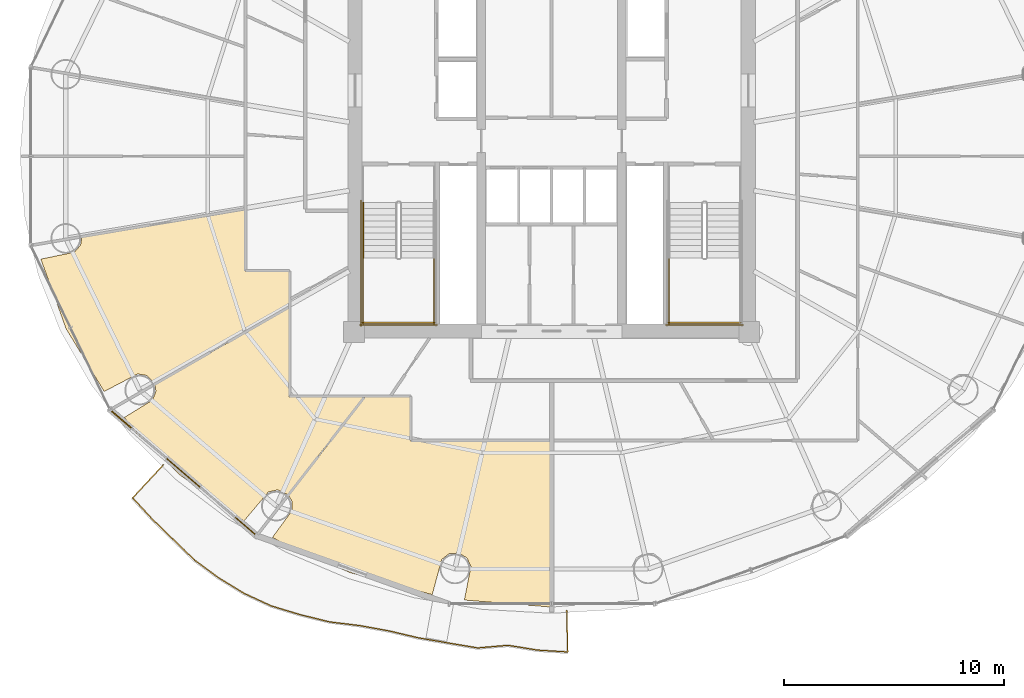
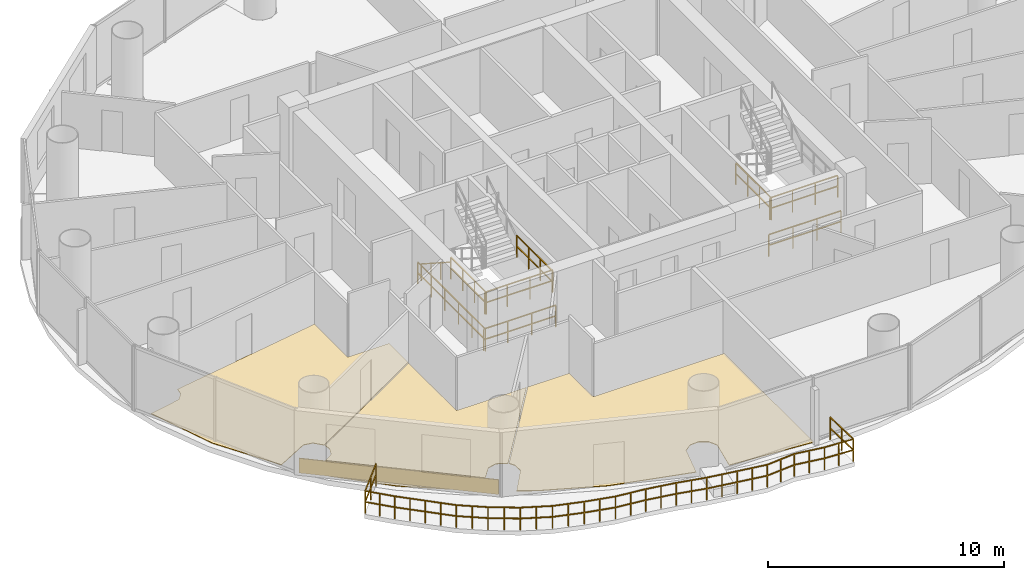
# One storey, part 24 of 26: 10 railings, 4 coverings.
"""IFC4 building model written with IfcOpenShell, lengths in metres."""

import ifcopenshell
import ifcopenshell.guid

model = None  # the IFC model being written
_history = None  # IfcOwnerHistory: only IFC2X3 demands one
_inside = {}  # id of a spatial element -> (the spatial element, [elements in it])
_under = {}  # id of a project, library or spatial element -> (it, [spatial elements below it])
_declared = {}  # id of a project -> (the project, [libraries it declares])
_typed = {}  # id of a type object -> (the type object, [elements of that type])
_made_of = {}  # id of a material, layer set ... -> (it, [elements and type objects made of it])


def new_model(schema):
    """Start an empty IFC model of exactly this schema.

    Asked for "IFC4X3", IfcOpenShell would pick the latest addendum, in which some entities
    have other attributes; the version numbers below select the first issue.
    IFC2X3 requires an IfcOwnerHistory on every rooted entity: one is made here for all.
    """
    global model, _history
    if schema == "IFC4X3":
        model = ifcopenshell.file(schema_version=(4, 3, 0, 0))
    else:
        model = ifcopenshell.file(schema=schema)
    _inside.clear()
    _under.clear()
    _declared.clear()
    _typed.clear()
    _made_of.clear()
    _history = None
    if model.schema == "IFC2X3":
        org = make("IfcOrganization", Name="unknown")
        user = make(
            "IfcPersonAndOrganization",
            ThePerson=make("IfcPerson", FamilyName="unknown"),
            TheOrganization=org,
        )
        app = make(
            "IfcApplication",
            ApplicationDeveloper=org,
            Version="unknown",
            ApplicationFullName="unknown",
            ApplicationIdentifier="unknown",
        )
        _history = make(
            "IfcOwnerHistory",
            OwningUser=user,
            OwningApplication=app,
            ChangeAction="ADDED",
            CreationDate=0,
        )
    return model


def make(cls, **values):
    """One entity of the class cls with the attributes given. An attribute that is None is left unset."""
    return model.create_entity(
        cls, **{name: value for name, value in values.items() if value is not None}
    )


def rooted(cls, **values):
    """An entity with a GlobalId (a new one), such as an element, a storey or a relation."""
    return make(cls, GlobalId=ifcopenshell.guid.new(), OwnerHistory=_history, **values)


def si_unit(unit_type, name, prefix=None):
    """IfcSIUnit, for example si_unit("LENGTHUNIT", "METRE", prefix="MILLI")."""
    return make("IfcSIUnit", UnitType=unit_type, Prefix=prefix, Name=name)


def assignment(units):
    """IfcUnitAssignment: the units of a project."""
    return None if units is None else make("IfcUnitAssignment", Units=units)


def point(xyz):
    """IfcCartesianPoint."""
    return None if xyz is None else make("IfcCartesianPoint", Coordinates=xyz)


def direction(xyz):
    """IfcDirection."""
    return None if xyz is None else make("IfcDirection", DirectionRatios=xyz)


def frame(location, z_axis=None, x_axis=None):
    """IfcAxis2Placement3D, a coordinate frame: its origin and axes. An axis left out is left unset."""
    return make(
        "IfcAxis2Placement3D",
        Location=point(location),
        Axis=direction(z_axis),
        RefDirection=direction(x_axis),
    )


def frame_2d(location, x_axis=None):
    """IfcAxis2Placement2D, a coordinate frame in the plane: its origin and x axis."""
    return make(
        "IfcAxis2Placement2D", Location=point(location), RefDirection=direction(x_axis)
    )


def origin():
    """The frame at (0, 0, 0) with its axes left unset."""
    return frame((0.0, 0.0, 0.0))


def origin_2d():
    """The frame at (0, 0) in the plane with its x axis left unset."""
    return frame_2d((0.0, 0.0))


def place(relative_to, where):
    """IfcLocalPlacement: puts the frame where relative to a parent placement (None: the world)."""
    return make(
        "IfcLocalPlacement", PlacementRelTo=relative_to, RelativePlacement=where
    )


def context(
    kind, dimensions, precision=None, world=None, true_north=None, identifier=None
):
    """IfcGeometricRepresentationContext, for example the 3D "Model" context."""
    return make(
        "IfcGeometricRepresentationContext",
        ContextIdentifier=identifier,
        ContextType=kind,
        CoordinateSpaceDimension=dimensions,
        Precision=precision,
        WorldCoordinateSystem=world,
        TrueNorth=true_north,
    )


def subcontext(parent, identifier, kind, view, scale=None):
    """IfcGeometricRepresentationSubContext, for example "Body" below "Model"."""
    return make(
        "IfcGeometricRepresentationSubContext",
        ContextIdentifier=identifier,
        ContextType=kind,
        ParentContext=parent,
        TargetScale=scale,
        TargetView=view,
    )


def project(units=None, contexts=None):
    """IfcProject with its units and contexts."""
    return rooted(
        "IfcProject",
        Name="project",
        RepresentationContexts=contexts,
        UnitsInContext=assignment(units),
    )


def spatial(cls, under=None, at=None, **own):
    """A site, building, storey or space (cls), placed at a placement, below another one or the project."""
    s = rooted(cls, ObjectPlacement=at, **own)
    if under is not None:
        _under.setdefault(under.id(), (under, []))[1].append(s)
    return s


def polyline(points):
    """IfcPolyline through the points."""
    return make("IfcPolyline", Points=[point(p) for p in points])


def profile(cls, at=None, kind="AREA", **sizes):
    """A parametric profile (cls). Its sizes go by their IFC names, for example OverallWidth=200.0."""
    return make(cls, ProfileType=kind, Position=at, **sizes)


def rectangle(**sizes):
    """IfcRectangleProfileDef."""
    return profile("IfcRectangleProfileDef", **sizes)


def outline(outer, holes=None, kind="AREA"):
    """IfcArbitraryClosedProfileDef: a profile drawn as a closed curve; with holes, ...WithVoids."""
    if holes is None:
        return make("IfcArbitraryClosedProfileDef", ProfileType=kind, OuterCurve=outer)
    return make(
        "IfcArbitraryProfileDefWithVoids",
        ProfileType=kind,
        OuterCurve=outer,
        InnerCurves=holes,
    )


def extrude(swept, where, along, depth):
    """IfcExtrudedAreaSolid: the profile swept, set in the frame where, extruded along a direction by depth."""
    return make(
        "IfcExtrudedAreaSolid",
        SweptArea=swept,
        Position=where,
        ExtrudedDirection=direction(along),
        Depth=depth,
    )


def shape(context_of_items, identifier, shape_type, items):
    """IfcShapeRepresentation: the items that make up one representation, for example the "Body"."""
    return make(
        "IfcShapeRepresentation",
        ContextOfItems=context_of_items,
        RepresentationIdentifier=identifier,
        RepresentationType=shape_type,
        Items=items,
    )


def source(mapping_origin, context_of_items, identifier, shape_type, items):
    """IfcRepresentationMap: a shape defined once, which mapped items show again and again."""
    return make(
        "IfcRepresentationMap",
        MappingOrigin=mapping_origin,
        MappedRepresentation=shape(context_of_items, identifier, shape_type, items),
    )


def transform(
    local_origin,
    x_axis=None,
    y_axis=None,
    z_axis=None,
    scale=None,
    scale2=None,
    scale3=None,
    uniform=True,
):
    """IfcCartesianTransformationOperator3D, or its non-uniform kind. x_axis, y_axis, z_axis: its Axis1, 2, 3."""
    if uniform:
        return make(
            "IfcCartesianTransformationOperator3D",
            Axis1=direction(x_axis),
            Axis2=direction(y_axis),
            LocalOrigin=point(local_origin),
            Scale=scale,
            Axis3=direction(z_axis),
        )
    return make(
        "IfcCartesianTransformationOperator3DnonUniform",
        Axis1=direction(x_axis),
        Axis2=direction(y_axis),
        LocalOrigin=point(local_origin),
        Scale=scale,
        Axis3=direction(z_axis),
        Scale2=scale2,
        Scale3=scale3,
    )


def mapped(mapping_source, mapping_target):
    """IfcMappedItem: shows the shape of a source again, moved by a transform."""
    return make(
        "IfcMappedItem", MappingSource=mapping_source, MappingTarget=mapping_target
    )


def material(Name=None, Category=None):
    """IfcMaterial."""
    return make("IfcMaterial", Name=Name, Category=Category)


def layer(
    of_material, thickness, ventilated=None, Name=None, Category=None, Priority=None
):
    """IfcMaterialLayer: one layer of a wall or slab, of a material (None: an air gap)."""
    return make(
        "IfcMaterialLayer",
        Material=of_material,
        LayerThickness=thickness,
        IsVentilated=ventilated,
        Name=Name,
        Category=Category,
        Priority=Priority,
    )


def layer_set(layers, Name=None):
    """IfcMaterialLayerSet."""
    return make("IfcMaterialLayerSet", MaterialLayers=layers, LayerSetName=Name)


def made_of(thing, what):
    """Note that an element or type object is made of a material, layer set ...; save() writes the relation."""
    if what is not None:
        _made_of.setdefault(what.id(), (what, []))[1].append(thing)
    return thing


def type_object(cls, material=None, **own):
    """A type object (cls), such as IfcWallType, which elements share."""
    return made_of(rooted(cls, **own), material)


def element(
    cls,
    number,
    at=None,
    inside=None,
    cuts=None,
    type_object=None,
    material=None,
    context=None,
    identifier="Body",
    shape_type=None,
    held_by="IfcProductDefinitionShape",
    body=None,
    shapes=None,
    **own,
):
    """One element of the class cls, such as IfcWall. Its Tag is "e" and its number.

    at: its placement. inside: the storey or other place that contains it. cuts: it is an
    opening in that element (IfcRelVoidsElement). A single representation is given by context,
    identifier, shape_type and body (its items); several are given by shapes. held_by: the class
    of the entity that holds the representations. save() writes the other relations.
    """
    e = rooted(cls, Tag="e%d" % number, ObjectPlacement=at, **own)
    if body is not None:
        shapes = [shape(context, identifier, shape_type, body)]
    if shapes is not None:
        e.Representation = make(held_by, Representations=shapes)
    if inside is not None:
        _inside.setdefault(inside.id(), (inside, []))[1].append(e)
    if cuts is not None:
        rooted(
            "IfcRelVoidsElement", RelatingBuildingElement=cuts, RelatedOpeningElement=e
        )
    if type_object is not None:
        _typed.setdefault(type_object.id(), (type_object, []))[1].append(e)
    return made_of(e, material)


def aggregate(whole, parts):
    """IfcRelAggregates: a whole, such as a stair, and the parts it consists of."""
    return rooted("IfcRelAggregates", RelatingObject=whole, RelatedObjects=parts)


def save(model, path):
    """Write the relations noted so far, then the file.

    IfcRelAggregates (storeys below a building ...), IfcRelContainedInSpatialStructure (elements
    in a storey), IfcRelDefinesByType, IfcRelAssociatesMaterial and IfcRelDeclares: one each for
    every whole, place, type object, material and project.
    """
    for whole, parts in _under.values():
        aggregate(whole, parts)
    for where, things in _inside.values():
        rooted(
            "IfcRelContainedInSpatialStructure",
            RelatedElements=things,
            RelatingStructure=where,
        )
    for kind, things in _typed.values():
        rooted("IfcRelDefinesByType", RelatedObjects=things, RelatingType=kind)
    for what, things in _made_of.values():
        rooted("IfcRelAssociatesMaterial", RelatedObjects=things, RelatingMaterial=what)
    for by, libraries in _declared.values():
        rooted("IfcRelDeclares", RelatingContext=by, RelatedDefinitions=libraries)
    model.write(path)


model = new_model("IFC4")

# Units and contexts
model_context = context("Model", 3, precision=1e-05, world=origin(), true_north=direction((-0.2419218956, 0.970295726276)))
body_context = subcontext(model_context, "Body", "Model", "MODEL_VIEW")
ifc_project = project(units=[si_unit("LENGTHUNIT", "METRE"), si_unit("AREAUNIT", "SQUARE_METRE"), si_unit("VOLUMEUNIT", "CUBIC_METRE"), si_unit("PLANEANGLEUNIT", "RADIAN"), si_unit("MASSUNIT", "GRAM", prefix="KILO")], contexts=[model_context])

# Site, building, storey
site_placement = place(None, origin())
site = spatial("IfcSite", under=ifc_project, at=site_placement, CompositionType="ELEMENT")
building_placement = place(site_placement, origin())
building = spatial("IfcBuilding", under=site, at=building_placement, Name="Cobrevalo Terracotta Tower", CompositionType="ELEMENT")
storey_placement = place(building_placement, frame((0.0, 0.0, 171.39990234375)))
storey = spatial("IfcBuildingStorey", under=building, at=storey_placement, Name="L45", CompositionType="ELEMENT", Elevation=171.39990234375)

# Railing
ifc_material_1 = material(Name="Laminated structural glass and stainless steel", Category="steel")
railing_type_1 = type_object("IfcRailingType", Name="Balcony lobe structural glass & terracotta-cap balustrade 1180 mm", PredefinedType="BALUSTRADE", material=ifc_material_1)
railing_1_placement = place(storey_placement, frame((20.332275390625, 12.761962890625, 0.0)))
element("IfcRailing", 1, at=railing_1_placement, inside=storey, type_object=railing_type_1, Name="L45 spiralling balcony lobe balustrade 2", PredefinedType="BALUSTRADE", context=body_context, shape_type="SweptSolid", body=[
    extrude(rectangle(XDim=0.048095703125, YDim=0.048095703125, at=origin_2d()), frame((0.0, 0.0, 1.15576171875), z_axis=(-0.681164525819, -0.73213037689, 0.0), x_axis=(0.73213037689, -0.681164525819, 0.0)), (0.0, 0.0, 1.0), 2.059814453125),
    extrude(rectangle(XDim=0.048095703125, YDim=0.048095703125, at=origin_2d()), frame((0.0, 0.0, 0.58984375), z_axis=(-0.681164525819, -0.73213037689, 0.0), x_axis=(0.73213037689, -0.681164525819, 0.0)), (0.0, 0.0, 1.0), 2.059814453125),
    extrude(rectangle(XDim=0.048095703125, YDim=0.048095703125, at=origin_2d()), frame((-1.403076171875, -1.508056640625, 1.15576171875), z_axis=(0.677125207172, -0.735867823602, 0.0), x_axis=(0.735867823602, 0.677125207172, 0.0)), (0.0, 0.0, 1.0), 1.30908203125),
    extrude(rectangle(XDim=0.048095703125, YDim=0.048095703125, at=origin_2d()), frame((-1.403076171875, -1.508056640625, 0.58984375), z_axis=(0.677125207172, -0.735867823602, 0.0), x_axis=(0.735867823602, 0.677125207172, 0.0)), (0.0, 0.0, 1.0), 1.30908203125),
    extrude(rectangle(XDim=0.048095703125, YDim=0.048095703125, at=origin_2d()), frame((-0.5166015625, -2.471435546875, 1.15576171875), z_axis=(0.718008540099, -0.696034292506, 0.0), x_axis=(0.696034292506, 0.718008540099, 0.0)), (0.0, 0.0, 1.0), 1.333251953125),
    extrude(rectangle(XDim=0.048095703125, YDim=0.048095703125, at=origin_2d()), frame((-0.5166015625, -2.471435546875, 0.58984375), z_axis=(0.718008540099, -0.696034292506, 0.0), x_axis=(0.696034292506, 0.718008540099, 0.0)), (0.0, 0.0, 1.0), 1.333251953125),
    extrude(rectangle(XDim=0.048095703125, YDim=0.048095703125, at=origin_2d()), frame((0.440673828125, -3.3994140625, 1.15576171875), z_axis=(0.718062108439, -0.695979028724, 0.0), x_axis=(0.695979028724, 0.718062108439, 0.0)), (0.0, 0.0, 1.0), 1.348876953125),
    extrude(rectangle(XDim=0.048095703125, YDim=0.048095703125, at=origin_2d()), frame((0.440673828125, -3.3994140625, 0.58984375), z_axis=(0.718062108439, -0.695979028724, 0.0), x_axis=(0.695979028724, 0.718062108439, 0.0)), (0.0, 0.0, 1.0), 1.348876953125),
    extrude(rectangle(XDim=0.048095703125, YDim=0.048095703125, at=origin_2d()), frame((1.4091796875, -4.338134765625, 1.15576171875), z_axis=(0.804825439693, -0.593511593504, 0.0), x_axis=(0.593511593504, 0.804825439693, 0.0)), (0.0, 0.0, 1.0), 1.358642578125),
    extrude(rectangle(XDim=0.048095703125, YDim=0.048095703125, at=origin_2d()), frame((1.4091796875, -4.338134765625, 0.58984375), z_axis=(0.804825439693, -0.593511593504, 0.0), x_axis=(0.593511593504, 0.804825439693, 0.0)), (0.0, 0.0, 1.0), 1.358642578125),
    extrude(rectangle(XDim=0.048095703125, YDim=0.048095703125, at=origin_2d()), frame((2.502685546875, -5.14453125, 1.15576171875), z_axis=(0.853392398932, -0.521269041327, 0.0), x_axis=(0.521269041327, 0.853392398932, 0.0)), (0.0, 0.0, 1.0), 1.3642578125),
    extrude(rectangle(XDim=0.048095703125, YDim=0.048095703125, at=origin_2d()), frame((2.502685546875, -5.14453125, 0.58984375), z_axis=(0.853392398932, -0.521269041327, 0.0), x_axis=(0.521269041327, 0.853392398932, 0.0)), (0.0, 0.0, 1.0), 1.3642578125),
    extrude(rectangle(XDim=0.048095703125, YDim=0.048095703125, at=origin_2d()), frame((3.6669921875, -5.855712890625, 1.15576171875), z_axis=(0.907587912366, -0.419862097988, 0.0), x_axis=(0.419862097988, 0.907587912366, 0.0)), (0.0, 0.0, 1.0), 1.366943359375),
    extrude(rectangle(XDim=0.048095703125, YDim=0.048095703125, at=origin_2d()), frame((3.6669921875, -5.855712890625, 0.58984375), z_axis=(0.907587912366, -0.419862097988, 0.0), x_axis=(0.419862097988, 0.907587912366, 0.0)), (0.0, 0.0, 1.0), 1.366943359375),
    extrude(rectangle(XDim=0.048095703125, YDim=0.048095703125, at=origin_2d()), frame((4.90771484375, -6.4296875, 1.15576171875), z_axis=(0.957305624306, -0.2890777433, 0.0), x_axis=(0.2890777433, 0.957305624306, 0.0)), (0.0, 0.0, 1.0), 1.385009765625),
    extrude(rectangle(XDim=0.048095703125, YDim=0.048095703125, at=origin_2d()), frame((4.90771484375, -6.4296875, 0.58984375), z_axis=(0.957305624306, -0.2890777433, 0.0), x_axis=(0.2890777433, 0.957305624306, 0.0)), (0.0, 0.0, 1.0), 1.385009765625),
    extrude(rectangle(XDim=0.048095703125, YDim=0.048095703125, at=origin_2d()), frame((6.233642578125, -6.830078125, 1.15576171875), z_axis=(0.971239515756, -0.238104605234, 0.0), x_axis=(0.238104605234, 0.971239515756, 0.0)), (0.0, 0.0, 1.0), 1.375),
    extrude(rectangle(XDim=0.048095703125, YDim=0.048095703125, at=origin_2d()), frame((6.233642578125, -6.830078125, 0.58984375), z_axis=(0.971239515756, -0.238104605234, 0.0), x_axis=(0.238104605234, 0.971239515756, 0.0)), (0.0, 0.0, 1.0), 1.375),
    extrude(rectangle(XDim=0.048095703125, YDim=0.048095703125, at=origin_2d()), frame((7.569091796875, -7.157470703125, 1.15576171875), z_axis=(0.992576893634, -0.121618708365, 0.0), x_axis=(0.121618708365, 0.992576893634, 0.0)), (0.0, 0.0, 1.0), 1.39306640625),
    extrude(rectangle(XDim=0.048095703125, YDim=0.048095703125, at=origin_2d()), frame((7.569091796875, -7.157470703125, 0.58984375), z_axis=(0.992576893634, -0.121618708365, 0.0), x_axis=(0.121618708365, 0.992576893634, 0.0)), (0.0, 0.0, 1.0), 1.39306640625),
    extrude(rectangle(XDim=0.048095703125, YDim=0.048095703125, at=origin_2d()), frame((8.951904296875, -7.326904296875, 1.15576171875), z_axis=(0.983720650768, -0.179704427469, 0.0), x_axis=(0.179704427469, 0.983720650768, 0.0)), (0.0, 0.0, 1.0), 1.364013671875),
    extrude(rectangle(XDim=0.048095703125, YDim=0.048095703125, at=origin_2d()), frame((8.951904296875, -7.326904296875, 0.58984375), z_axis=(0.983720650768, -0.179704427469, 0.0), x_axis=(0.179704427469, 0.983720650768, 0.0)), (0.0, 0.0, 1.0), 1.364013671875),
    extrude(rectangle(XDim=0.048095703125, YDim=0.048095703125, at=origin_2d()), frame((10.293701171875, -7.572021484375, 1.15576171875), z_axis=(0.973194865958, -0.229982070764, 0.0), x_axis=(0.229982070764, 0.973194865958, 0.0)), (0.0, 0.0, 1.0), 1.356689453125),
    extrude(rectangle(XDim=0.048095703125, YDim=0.048095703125, at=origin_2d()), frame((10.293701171875, -7.572021484375, 0.58984375), z_axis=(0.973194865958, -0.229982070764, 0.0), x_axis=(0.229982070764, 0.973194865958, 0.0)), (0.0, 0.0, 1.0), 1.356689453125),
    extrude(rectangle(XDim=0.048095703125, YDim=0.048095703125, at=origin_2d()), frame((11.614013671875, -7.884033203125, 1.15576171875), z_axis=(0.985599257417, -0.169097911812, 0.0), x_axis=(0.169097911812, 0.985599257417, 0.0)), (0.0, 0.0, 1.0), 1.3642578125),
    extrude(rectangle(XDim=0.048095703125, YDim=0.048095703125, at=origin_2d()), frame((11.614013671875, -7.884033203125, 0.58984375), z_axis=(0.985599257417, -0.169097911812, 0.0), x_axis=(0.169097911812, 0.985599257417, 0.0)), (0.0, 0.0, 1.0), 1.3642578125),
    extrude(rectangle(XDim=0.048095703125, YDim=0.048095703125, at=origin_2d()), frame((12.958740234375, -8.11474609375, 1.15576171875), z_axis=(0.986072720002, -0.166314734365, 0.0), x_axis=(0.166314734365, 0.986072720002, 0.0)), (0.0, 0.0, 1.0), 1.36376953125),
    extrude(rectangle(XDim=0.048095703125, YDim=0.048095703125, at=origin_2d()), frame((12.958740234375, -8.11474609375, 0.58984375), z_axis=(0.986072720002, -0.166314734365, 0.0), x_axis=(0.166314734365, 0.986072720002, 0.0)), (0.0, 0.0, 1.0), 1.36376953125),
    extrude(rectangle(XDim=0.048095703125, YDim=0.048095703125, at=origin_2d()), frame((14.303466796875, -8.341552734375, 1.15576171875), z_axis=(0.996158832423, 0.08756472227, 0.0), x_axis=(-0.08756472227, 0.996158832423, 0.0)), (0.0, 0.0, 1.0), 1.3857421875),
    extrude(rectangle(XDim=0.048095703125, YDim=0.048095703125, at=origin_2d()), frame((14.303466796875, -8.341552734375, 0.58984375), z_axis=(0.996158832423, 0.08756472227, 0.0), x_axis=(-0.08756472227, 0.996158832423, 0.0)), (0.0, 0.0, 1.0), 1.3857421875),
    extrude(rectangle(XDim=0.048095703125, YDim=0.048095703125, at=origin_2d()), frame((15.683837890625, -8.22021484375, 1.15576171875), z_axis=(0.986927106875, -0.161167260063, 0.0), x_axis=(0.161167260063, 0.986927106875, 0.0)), (0.0, 0.0, 1.0), 1.372314453125),
    extrude(rectangle(XDim=0.048095703125, YDim=0.048095703125, at=origin_2d()), frame((15.683837890625, -8.22021484375, 0.58984375), z_axis=(0.986927106875, -0.161167260063, 0.0), x_axis=(0.161167260063, 0.986927106875, 0.0)), (0.0, 0.0, 1.0), 1.372314453125),
    extrude(rectangle(XDim=0.048095703125, YDim=0.048095703125, at=origin_2d()), frame((17.038330078125, -8.44140625, 1.15576171875), z_axis=(0.998181526806, -0.060279677695, 0.0), x_axis=(0.060279677695, 0.998181526806, 0.0)), (0.0, 0.0, 1.0), 1.368896484375),
    extrude(rectangle(XDim=0.048095703125, YDim=0.048095703125, at=origin_2d()), frame((17.038330078125, -8.44140625, 0.58984375), z_axis=(0.998181526806, -0.060279677695, 0.0), x_axis=(0.060279677695, 0.998181526806, 0.0)), (0.0, 0.0, 1.0), 1.368896484375),
    extrude(rectangle(XDim=0.048095703125, YDim=0.048095703125, at=origin_2d()), frame((18.40478515625, -8.52392578125, 1.15576171875), z_axis=(-0.024653576035, 0.999696054403, 0.0), x_axis=(-0.999696054403, -0.024653576035, 0.0)), (0.0, 0.0, 1.0), 1.891357421875),
    extrude(rectangle(XDim=0.048095703125, YDim=0.048095703125, at=origin_2d()), frame((18.40478515625, -8.52392578125, 0.58984375), z_axis=(-0.024653576035, 0.999696054403, 0.0), x_axis=(-0.999696054403, -0.024653576035, 0.0)), (0.0, 0.0, 1.0), 1.891357421875),
    extrude(rectangle(XDim=0.0419921875, YDim=0.0419921875, at=origin_2d()), origin(), (0.0, 0.0, 1.0), 1.1318359375),
    extrude(rectangle(XDim=0.0419921875, YDim=0.0419921875, at=origin_2d()), frame((-0.70166015625, -0.75390625, 0.0)), (0.0, 0.0, 1.0), 1.1318359375),
    extrude(rectangle(XDim=0.0419921875, YDim=0.0419921875, at=origin_2d()), frame((-1.403076171875, -1.508056640625, 0.0)), (0.0, 0.0, 1.0), 1.1318359375),
    extrude(rectangle(XDim=0.0419921875, YDim=0.0419921875, at=origin_2d()), frame((-0.9599609375, -1.98974609375, 0.0)), (0.0, 0.0, 1.0), 1.1318359375),
    extrude(rectangle(XDim=0.0419921875, YDim=0.0419921875, at=origin_2d()), frame((-0.5166015625, -2.471435546875, 0.0)), (0.0, 0.0, 1.0), 1.1318359375),
    extrude(rectangle(XDim=0.0419921875, YDim=0.0419921875, at=origin_2d()), frame((-0.0380859375, -2.935546875, 0.0)), (0.0, 0.0, 1.0), 1.1318359375),
    extrude(rectangle(XDim=0.0419921875, YDim=0.0419921875, at=origin_2d()), frame((0.440673828125, -3.3994140625, 0.0)), (0.0, 0.0, 1.0), 1.1318359375),
    extrude(rectangle(XDim=0.0419921875, YDim=0.0419921875, at=origin_2d()), frame((0.9248046875, -3.86865234375, 0.0)), (0.0, 0.0, 1.0), 1.1318359375),
    extrude(rectangle(XDim=0.0419921875, YDim=0.0419921875, at=origin_2d()), frame((1.4091796875, -4.338134765625, 0.0)), (0.0, 0.0, 1.0), 1.1318359375),
    extrude(rectangle(XDim=0.0419921875, YDim=0.0419921875, at=origin_2d()), frame((1.9560546875, -4.7412109375, 0.0)), (0.0, 0.0, 1.0), 1.1318359375),
    extrude(rectangle(XDim=0.0419921875, YDim=0.0419921875, at=origin_2d()), frame((2.502685546875, -5.14453125, 0.0)), (0.0, 0.0, 1.0), 1.1318359375),
    extrude(rectangle(XDim=0.0419921875, YDim=0.0419921875, at=origin_2d()), frame((3.0849609375, -5.5, 0.0)), (0.0, 0.0, 1.0), 1.1318359375),
    extrude(rectangle(XDim=0.0419921875, YDim=0.0419921875, at=origin_2d()), frame((3.6669921875, -5.855712890625, 0.0)), (0.0, 0.0, 1.0), 1.1318359375),
    extrude(rectangle(XDim=0.0419921875, YDim=0.0419921875, at=origin_2d()), frame((4.287353515625, -6.142578125, 0.0)), (0.0, 0.0, 1.0), 1.1318359375),
    extrude(rectangle(XDim=0.0419921875, YDim=0.0419921875, at=origin_2d()), frame((4.90771484375, -6.4296875, 0.0)), (0.0, 0.0, 1.0), 1.1318359375),
    extrude(rectangle(XDim=0.0419921875, YDim=0.0419921875, at=origin_2d()), frame((5.57080078125, -6.6298828125, 0.0)), (0.0, 0.0, 1.0), 1.1318359375),
    extrude(rectangle(XDim=0.0419921875, YDim=0.0419921875, at=origin_2d()), frame((6.233642578125, -6.830078125, 0.0)), (0.0, 0.0, 1.0), 1.1318359375),
    extrude(rectangle(XDim=0.0419921875, YDim=0.0419921875, at=origin_2d()), frame((6.9013671875, -6.99365234375, 0.0)), (0.0, 0.0, 1.0), 1.1318359375),
    extrude(rectangle(XDim=0.0419921875, YDim=0.0419921875, at=origin_2d()), frame((7.569091796875, -7.157470703125, 0.0)), (0.0, 0.0, 1.0), 1.1318359375),
    extrude(rectangle(XDim=0.0419921875, YDim=0.0419921875, at=origin_2d()), frame((8.260498046875, -7.2421875, 0.0)), (0.0, 0.0, 1.0), 1.1318359375),
    extrude(rectangle(XDim=0.0419921875, YDim=0.0419921875, at=origin_2d()), frame((8.951904296875, -7.326904296875, 0.0)), (0.0, 0.0, 1.0), 1.1318359375),
    extrude(rectangle(XDim=0.0419921875, YDim=0.0419921875, at=origin_2d()), frame((9.622802734375, -7.449462890625, 0.0)), (0.0, 0.0, 1.0), 1.1318359375),
    extrude(rectangle(XDim=0.0419921875, YDim=0.0419921875, at=origin_2d()), frame((10.293701171875, -7.572021484375, 0.0)), (0.0, 0.0, 1.0), 1.1318359375),
    extrude(rectangle(XDim=0.0419921875, YDim=0.0419921875, at=origin_2d()), frame((10.953857421875, -7.72802734375, 0.0)), (0.0, 0.0, 1.0), 1.1318359375),
    extrude(rectangle(XDim=0.0419921875, YDim=0.0419921875, at=origin_2d()), frame((11.614013671875, -7.884033203125, 0.0)), (0.0, 0.0, 1.0), 1.1318359375),
    extrude(rectangle(XDim=0.0419921875, YDim=0.0419921875, at=origin_2d()), frame((12.286376953125, -7.99951171875, 0.0)), (0.0, 0.0, 1.0), 1.1318359375),
    extrude(rectangle(XDim=0.0419921875, YDim=0.0419921875, at=origin_2d()), frame((12.958740234375, -8.11474609375, 0.0)), (0.0, 0.0, 1.0), 1.1318359375),
    extrude(rectangle(XDim=0.0419921875, YDim=0.0419921875, at=origin_2d()), frame((13.631103515625, -8.22802734375, 0.0)), (0.0, 0.0, 1.0), 1.1318359375),
    extrude(rectangle(XDim=0.0419921875, YDim=0.0419921875, at=origin_2d()), frame((14.303466796875, -8.341552734375, 0.0)), (0.0, 0.0, 1.0), 1.1318359375),
    extrude(rectangle(XDim=0.0419921875, YDim=0.0419921875, at=origin_2d()), frame((14.99365234375, -8.28076171875, 0.0)), (0.0, 0.0, 1.0), 1.1318359375),
    extrude(rectangle(XDim=0.0419921875, YDim=0.0419921875, at=origin_2d()), frame((15.683837890625, -8.22021484375, 0.0)), (0.0, 0.0, 1.0), 1.1318359375),
    extrude(rectangle(XDim=0.0419921875, YDim=0.0419921875, at=origin_2d()), frame((16.361083984375, -8.330810546875, 0.0)), (0.0, 0.0, 1.0), 1.1318359375),
    extrude(rectangle(XDim=0.0419921875, YDim=0.0419921875, at=origin_2d()), frame((17.038330078125, -8.44140625, 0.0)), (0.0, 0.0, 1.0), 1.1318359375),
    extrude(rectangle(XDim=0.0419921875, YDim=0.0419921875, at=origin_2d()), frame((17.7216796875, -8.482666015625, 0.0)), (0.0, 0.0, 1.0), 1.1318359375),
    extrude(rectangle(XDim=0.0419921875, YDim=0.0419921875, at=origin_2d()), frame((18.40478515625, -8.52392578125, 0.0)), (0.0, 0.0, 1.0), 1.1318359375),
    extrude(rectangle(XDim=0.0419921875, YDim=0.0419921875, at=origin_2d()), frame((18.38134765625, -7.57861328125, 0.0)), (0.0, 0.0, 1.0), 1.1318359375),
    extrude(rectangle(XDim=0.0419921875, YDim=0.0419921875, at=origin_2d()), frame((18.358154296875, -6.633056640625, 0.0)), (0.0, 0.0, 1.0), 1.1318359375),
])

# Coverings
ifc_material_2 = material(Name="Engineered Brazilian hardwood flooring", Category="wood")
ifc_layer_1 = layer(ifc_material_2, 0.028076171875)
ifc_layer_set_1 = layer_set([ifc_layer_1], Name="Engineered Brazilian hardwood flooring")
covering_type_1 = type_object("IfcCoveringType", Name="Engineered Hardwood Suite Flooring 28", PredefinedType="FLOORING", material=ifc_layer_set_1)
covering_1_placement = place(storey_placement, origin())
element("IfcCovering", 2, at=covering_1_placement, inside=storey, type_object=covering_type_1, Name="Flat L45A Penthouse Family Lounge floor finish", PredefinedType="FLOORING", context=body_context, shape_type="SweptSolid", body=[
    extrude(outline(polyline([(15.900390625, 18.948486328125), (14.748291015625, 22.121826171875), (16.2763671875, 22.43701171875), (16.55859375, 22.760986328125), (16.617431640625, 23.1240234375), (24.044921875, 24.393798828125), (24.044921875, 21.570068359375), (26.054931640625, 21.570068359375), (26.054931640625, 19.963134765625), (19.929931640625, 16.4453125), (19.582763671875, 16.822021484375), (19.1591796875, 16.895263671875), (17.632568359375, 16.09375), (15.900390625, 18.948486328125)])), origin(), (0.0, 0.0, 1.0), 0.030029296875),
])
covering_2_placement = place(storey_placement, origin())
element("IfcCovering", 3, at=covering_2_placement, inside=storey, type_object=covering_type_1, Name="Flat L45A Penthouse Family Lounge floor finish", PredefinedType="FLOORING", context=body_context, shape_type="SweptSolid", body=[
    extrude(outline(polyline([(21.0849609375, 12.291259765625), (19.02197265625, 14.309326171875), (18.551513671875, 14.91357421875), (19.834228515625, 15.705810546875), (19.988525390625, 16.10693359375), (19.94384765625, 16.4072265625), (26.054931640625, 19.9169921875), (26.054931640625, 15.85498046875), (29.466064453125, 15.85498046875), (25.997802734375, 11.3935546875), (25.529296875, 11.615234375), (25.109619140625, 11.522705078125), (23.99755859375, 10.2001953125), (21.0849609375, 12.291259765625)])), origin(), (0.0, 0.0, 1.0), 0.030029296875),
])
covering_3_placement = place(storey_placement, origin())
element("IfcCovering", 4, at=covering_3_placement, inside=storey, type_object=covering_type_1, Name="Flat L45A Private Cinema Room floor finish", PredefinedType="FLOORING", context=body_context, shape_type="SweptSolid", body=[
    extrude(outline(polyline([(26.038818359375, 9.02978515625), (25.295166015625, 9.4560546875), (26.184326171875, 10.67724609375), (26.175537109375, 11.106689453125), (26.02490234375, 11.363525390625), (29.5166015625, 15.85498046875), (31.570068359375, 15.85498046875), (31.570068359375, 13.844970703125), (37.97998046875, 13.844970703125), (37.97998046875, 6.28125), (34.02880859375, 6.6005859375), (34.3310546875, 8.1376953125), (34.141357421875, 8.5234375), (33.76953125, 8.738525390625), (33.3408203125, 8.7109375), (32.99951171875, 8.44970703125), (32.567138671875, 6.849853515625), (28.84521484375, 7.84228515625), (26.038818359375, 9.02978515625)])), origin(), (0.0, 0.0, 1.0), 0.030029296875),
])

# Railings
ifc_material_3 = material(Name="Brushed stainless steel", Category="steel")
railing_type_2 = type_object("IfcRailingType", Name="Stainless Steel Stair Handrail 900", PredefinedType="HANDRAIL", material=ifc_material_3)
railing_2_placement = place(storey_placement, frame((29.425048828125, 24.699951171875, 0.18017578125)))
element("IfcRailing", 5, at=railing_2_placement, inside=storey, type_object=railing_type_2, Name="L45 ST-1 stair handrail 1", PredefinedType="HANDRAIL", context=body_context, shape_type="SweptSolid", body=[
    extrude(rectangle(XDim=0.048095703125, YDim=0.048095703125, at=origin_2d()), frame((0.0, 0.0, 0.8759765625), z_axis=(0.0, -0.841199657755, 0.540724639528), x_axis=(1.0, 0.0, 0.0)), (0.0, 0.0, 1.0), 2.995849609375),
    extrude(rectangle(XDim=0.0419921875, YDim=0.0419921875, at=origin_2d()), origin(), (0.0, 0.0, 1.0), 0.851806640625),
    extrude(rectangle(XDim=0.0419921875, YDim=0.0419921875, at=origin_2d()), frame((0.0, -0.840087890625, 0.5400390625)), (0.0, 0.0, 1.0), 0.851806640625),
    extrude(rectangle(XDim=0.0419921875, YDim=0.0419921875, at=origin_2d()), frame((0.0, -1.679931640625, 1.079833984375)), (0.0, 0.0, 1.0), 0.851806640625),
    extrude(rectangle(XDim=0.0419921875, YDim=0.0419921875, at=origin_2d()), frame((0.0, -2.52001953125, 1.619873046875)), (0.0, 0.0, 1.0), 0.851806640625),
])
ifc_material_4 = material(Name="Painted galvanized steel", Category="steel")
railing_type_3 = type_object("IfcRailingType", Name="Stair Well Guard Balustrade 1150", PredefinedType="GUARDRAIL", material=ifc_material_4)
for number, where, name in (
    (6, (29.425048828125, 22.179931640625, 1.800048828125), "L45 ST-1 stair guard 3"),
    (7, (32.64501953125, 22.179931640625, 1.800048828125), "L45 ST-1 stair guard 4"),
):
    element("IfcRailing", number, at=place(storey_placement, frame(where)), inside=storey, type_object=railing_type_3, Name=name, PredefinedType="GUARDRAIL", context=body_context, shape_type="SweptSolid", body=[
        extrude(rectangle(XDim=0.048095703125, YDim=0.048095703125, at=origin_2d()), frame((0.0, 0.0, 1.1259765625), z_axis=(0.0, -1.0, 0.0), x_axis=(1.0, 0.0, 0.0)), (0.0, 0.0, 1.0), 3.0048828125),
        extrude(rectangle(XDim=0.048095703125, YDim=0.048095703125, at=origin_2d()), frame((0.0, 0.0, 0.574951171875), z_axis=(0.0, -1.0, 0.0), x_axis=(1.0, 0.0, 0.0)), (0.0, 0.0, 1.0), 3.0048828125),
        extrude(rectangle(XDim=0.0419921875, YDim=0.0419921875, at=origin_2d()), origin(), (0.0, 0.0, 1.0), 1.101806640625),
        extrude(rectangle(XDim=0.0419921875, YDim=0.0419921875, at=origin_2d()), frame((0.0, -1.001708984375, 0.0)), (0.0, 0.0, 1.0), 1.101806640625),
        extrude(rectangle(XDim=0.0419921875, YDim=0.0419921875, at=origin_2d()), frame((0.0, -2.003173828125, 0.0)), (0.0, 0.0, 1.0), 1.101806640625),
        extrude(rectangle(XDim=0.0419921875, YDim=0.0419921875, at=origin_2d()), frame((0.0, -3.0048828125, 0.0)), (0.0, 0.0, 1.0), 1.101806640625),
    ])
railing_3_placement = place(storey_placement, frame((29.375, 19.22509765625, 1.800048828125)))
element("IfcRailing", 8, at=railing_3_placement, inside=storey, type_object=railing_type_3, Name="L45 ST-1 stair guard 5", PredefinedType="GUARDRAIL", context=body_context, shape_type="SweptSolid", body=[
    extrude(rectangle(XDim=0.048095703125, YDim=0.048095703125, at=origin_2d()), frame((0.0, 0.0, 1.1259765625), z_axis=(1.0, 0.0, 0.0), x_axis=(0.0, 1.0, 0.0)), (0.0, 0.0, 1.0), 3.320068359375),
    extrude(rectangle(XDim=0.048095703125, YDim=0.048095703125, at=origin_2d()), frame((0.0, 0.0, 0.574951171875), z_axis=(1.0, 0.0, 0.0), x_axis=(0.0, 1.0, 0.0)), (0.0, 0.0, 1.0), 3.320068359375),
    extrude(rectangle(XDim=0.0419921875, YDim=0.0419921875, at=origin_2d()), origin(), (0.0, 0.0, 1.0), 1.101806640625),
    extrude(rectangle(XDim=0.0419921875, YDim=0.0419921875, at=origin_2d()), frame((1.106689453125, 0.0, 0.0)), (0.0, 0.0, 1.0), 1.101806640625),
    extrude(rectangle(XDim=0.0419921875, YDim=0.0419921875, at=origin_2d()), frame((2.21337890625, 0.0, 0.0)), (0.0, 0.0, 1.0), 1.101806640625),
    extrude(rectangle(XDim=0.0419921875, YDim=0.0419921875, at=origin_2d()), frame((3.320068359375, 0.0, 0.0)), (0.0, 0.0, 1.0), 1.101806640625),
])
railing_4_placement = place(storey_placement, frame((29.324951171875, 24.800048828125, 0.0)))
element("IfcRailing", 9, at=railing_4_placement, inside=storey, type_object=railing_type_3, Name="L45 ST-1 stair guard 10", PredefinedType="GUARDRAIL", context=body_context, shape_type="SweptSolid", body=[
    extrude(rectangle(XDim=0.048095703125, YDim=0.048095703125, at=origin_2d()), frame((0.0, 0.0, 1.1259765625), z_axis=(0.0, -1.0, 0.0), x_axis=(1.0, 0.0, 0.0)), (0.0, 0.0, 1.0), 5.72509765625),
    extrude(rectangle(XDim=0.048095703125, YDim=0.048095703125, at=origin_2d()), frame((0.0, 0.0, 0.574951171875), z_axis=(0.0, -1.0, 0.0), x_axis=(1.0, 0.0, 0.0)), (0.0, 0.0, 1.0), 5.72509765625),
    extrude(rectangle(XDim=0.0419921875, YDim=0.0419921875, at=origin_2d()), origin(), (0.0, 0.0, 1.0), 1.101806640625),
    extrude(rectangle(XDim=0.0419921875, YDim=0.0419921875, at=origin_2d()), frame((0.0, -1.14501953125, 0.0)), (0.0, 0.0, 1.0), 1.101806640625),
    extrude(rectangle(XDim=0.0419921875, YDim=0.0419921875, at=origin_2d()), frame((0.0, -2.2900390625, 0.0)), (0.0, 0.0, 1.0), 1.101806640625),
    extrude(rectangle(XDim=0.0419921875, YDim=0.0419921875, at=origin_2d()), frame((0.0, -3.43505859375, 0.0)), (0.0, 0.0, 1.0), 1.101806640625),
    extrude(rectangle(XDim=0.0419921875, YDim=0.0419921875, at=origin_2d()), frame((0.0, -4.580078125, 0.0)), (0.0, 0.0, 1.0), 1.101806640625),
    extrude(rectangle(XDim=0.0419921875, YDim=0.0419921875, at=origin_2d()), frame((0.0, -5.72509765625, 0.0)), (0.0, 0.0, 1.0), 1.101806640625),
])
railing_5_placement = place(storey_placement, frame((29.27490234375, 19.125, 0.0)))
element("IfcRailing", 10, at=railing_5_placement, inside=storey, type_object=railing_type_3, Name="L45 ST-1 stair guard 12", PredefinedType="GUARDRAIL", context=body_context, shape_type="SweptSolid", body=[
    extrude(rectangle(XDim=0.048095703125, YDim=0.048095703125, at=origin_2d()), frame((0.0, 0.0, 1.1259765625), z_axis=(1.0, 0.0, 0.0), x_axis=(0.0, 1.0, 0.0)), (0.0, 0.0, 1.0), 3.52001953125),
    extrude(rectangle(XDim=0.048095703125, YDim=0.048095703125, at=origin_2d()), frame((0.0, 0.0, 0.574951171875), z_axis=(1.0, 0.0, 0.0), x_axis=(0.0, 1.0, 0.0)), (0.0, 0.0, 1.0), 3.52001953125),
    extrude(rectangle(XDim=0.0419921875, YDim=0.0419921875, at=origin_2d()), origin(), (0.0, 0.0, 1.0), 1.101806640625),
    extrude(rectangle(XDim=0.0419921875, YDim=0.0419921875, at=origin_2d()), frame((1.17333984375, 0.0, 0.0)), (0.0, 0.0, 1.0), 1.101806640625),
    extrude(rectangle(XDim=0.0419921875, YDim=0.0419921875, at=origin_2d()), frame((2.3466796875, 0.0, 0.0)), (0.0, 0.0, 1.0), 1.101806640625),
    extrude(rectangle(XDim=0.0419921875, YDim=0.0419921875, at=origin_2d()), frame((3.52001953125, 0.0, 0.0)), (0.0, 0.0, 1.0), 1.101806640625),
])
railing_6_placement = place(storey_placement, frame((43.35498046875, 22.179931640625, 1.800048828125)))
element("IfcRailing", 11, at=railing_6_placement, inside=storey, type_object=railing_type_3, Name="L45 ST-2 stair guard 3", PredefinedType="GUARDRAIL", context=body_context, shape_type="SweptSolid", body=[
    extrude(rectangle(XDim=0.048095703125, YDim=0.048095703125, at=origin_2d()), frame((0.0, 0.0, 1.1259765625), z_axis=(0.0, -1.0, 0.0), x_axis=(1.0, 0.0, 0.0)), (0.0, 0.0, 1.0), 3.0048828125),
    extrude(rectangle(XDim=0.048095703125, YDim=0.048095703125, at=origin_2d()), frame((0.0, 0.0, 0.574951171875), z_axis=(0.0, -1.0, 0.0), x_axis=(1.0, 0.0, 0.0)), (0.0, 0.0, 1.0), 3.0048828125),
    extrude(rectangle(XDim=0.0419921875, YDim=0.0419921875, at=origin_2d()), origin(), (0.0, 0.0, 1.0), 1.101806640625),
    extrude(rectangle(XDim=0.0419921875, YDim=0.0419921875, at=origin_2d()), frame((0.0, -1.001708984375, 0.0)), (0.0, 0.0, 1.0), 1.101806640625),
    extrude(rectangle(XDim=0.0419921875, YDim=0.0419921875, at=origin_2d()), frame((0.0, -2.003173828125, 0.0)), (0.0, 0.0, 1.0), 1.101806640625),
    extrude(rectangle(XDim=0.0419921875, YDim=0.0419921875, at=origin_2d()), frame((0.0, -3.0048828125, 0.0)), (0.0, 0.0, 1.0), 1.101806640625),
])
railing_7_placement = place(storey_placement, frame((43.304931640625, 19.22509765625, 1.800048828125)))
element("IfcRailing", 12, at=railing_7_placement, inside=storey, type_object=railing_type_3, Name="L45 ST-2 stair guard 5", PredefinedType="GUARDRAIL", context=body_context, shape_type="SweptSolid", body=[
    extrude(rectangle(XDim=0.048095703125, YDim=0.048095703125, at=origin_2d()), frame((0.0, 0.0, 1.1259765625), z_axis=(1.0, 0.0, 0.0), x_axis=(0.0, 1.0, 0.0)), (0.0, 0.0, 1.0), 3.320068359375),
    extrude(rectangle(XDim=0.048095703125, YDim=0.048095703125, at=origin_2d()), frame((0.0, 0.0, 0.574951171875), z_axis=(1.0, 0.0, 0.0), x_axis=(0.0, 1.0, 0.0)), (0.0, 0.0, 1.0), 3.320068359375),
    extrude(rectangle(XDim=0.0419921875, YDim=0.0419921875, at=origin_2d()), origin(), (0.0, 0.0, 1.0), 1.101806640625),
    extrude(rectangle(XDim=0.0419921875, YDim=0.0419921875, at=origin_2d()), frame((1.106689453125, 0.0, 0.0)), (0.0, 0.0, 1.0), 1.101806640625),
    extrude(rectangle(XDim=0.0419921875, YDim=0.0419921875, at=origin_2d()), frame((2.21337890625, 0.0, 0.0)), (0.0, 0.0, 1.0), 1.101806640625),
    extrude(rectangle(XDim=0.0419921875, YDim=0.0419921875, at=origin_2d()), frame((3.320068359375, 0.0, 0.0)), (0.0, 0.0, 1.0), 1.101806640625),
])
railing_8_placement = place(storey_placement, frame((43.205078125, 19.125, 0.0)))
element("IfcRailing", 13, at=railing_8_placement, inside=storey, type_object=railing_type_3, Name="L45 ST-2 stair guard 12", PredefinedType="GUARDRAIL", context=body_context, shape_type="SweptSolid", body=[
    extrude(rectangle(XDim=0.048095703125, YDim=0.048095703125, at=origin_2d()), frame((0.0, 0.0, 1.1259765625), z_axis=(1.0, 0.0, 0.0), x_axis=(0.0, 1.0, 0.0)), (0.0, 0.0, 1.0), 3.52001953125),
    extrude(rectangle(XDim=0.048095703125, YDim=0.048095703125, at=origin_2d()), frame((0.0, 0.0, 0.574951171875), z_axis=(1.0, 0.0, 0.0), x_axis=(0.0, 1.0, 0.0)), (0.0, 0.0, 1.0), 3.52001953125),
    extrude(rectangle(XDim=0.0419921875, YDim=0.0419921875, at=origin_2d()), origin(), (0.0, 0.0, 1.0), 1.101806640625),
    extrude(rectangle(XDim=0.0419921875, YDim=0.0419921875, at=origin_2d()), frame((1.17333984375, 0.0, 0.0)), (0.0, 0.0, 1.0), 1.101806640625),
    extrude(rectangle(XDim=0.0419921875, YDim=0.0419921875, at=origin_2d()), frame((2.3466796875, 0.0, 0.0)), (0.0, 0.0, 1.0), 1.101806640625),
    extrude(rectangle(XDim=0.0419921875, YDim=0.0419921875, at=origin_2d()), frame((3.52001953125, 0.0, 0.0)), (0.0, 0.0, 1.0), 1.101806640625),
])

# Covering
ifc_material_5 = material(Name="Glazed terracotta facade cladding tile", Category="masonry")
ifc_layer_2 = layer(ifc_material_5, 0.044921875)
ifc_layer_set_2 = layer_set([ifc_layer_2], Name="Glazed terracotta facade cladding tile")
covering_type_2 = type_object("IfcCoveringType", Name="Architectural terracotta rainscreen spandrel cladding 45 mm", PredefinedType="CLADDING", material=ifc_layer_set_2)
shared_shape = source(origin(), body_context, "Body", "SweptSolid", [
    extrude(rectangle(XDim=8.59228515625, YDim=0.044921875, at=origin_2d()), origin(), (0.0, 0.0, 1.0), 0.760009765625),
])
covering_4_placement = place(storey_placement, frame((21.237548828125, 12.3955078125, 0.0400390625), z_axis=(0.0, 0.0, 1.0), x_axis=(0.758436996112, -0.651746363955, 0.0)))
element("IfcCovering", 14, at=covering_4_placement, inside=storey, type_object=covering_type_2, Name="L45 terracotta spandrel cladding S10", PredefinedType="CLADDING", context=body_context, shape_type="MappedRepresentation", body=[
    mapped(shared_shape, transform((0.0, 0.0, 0.0), scale=1.0)),
])

save(model, "model.ifc")
